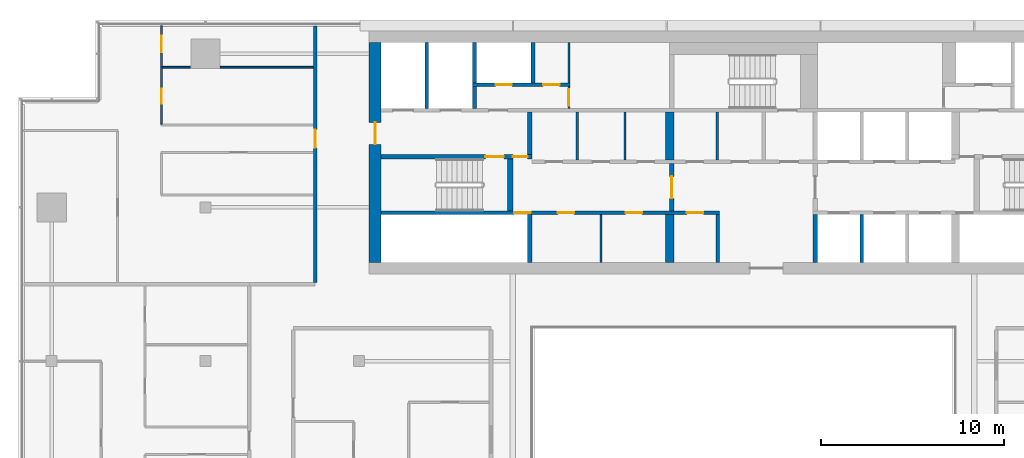
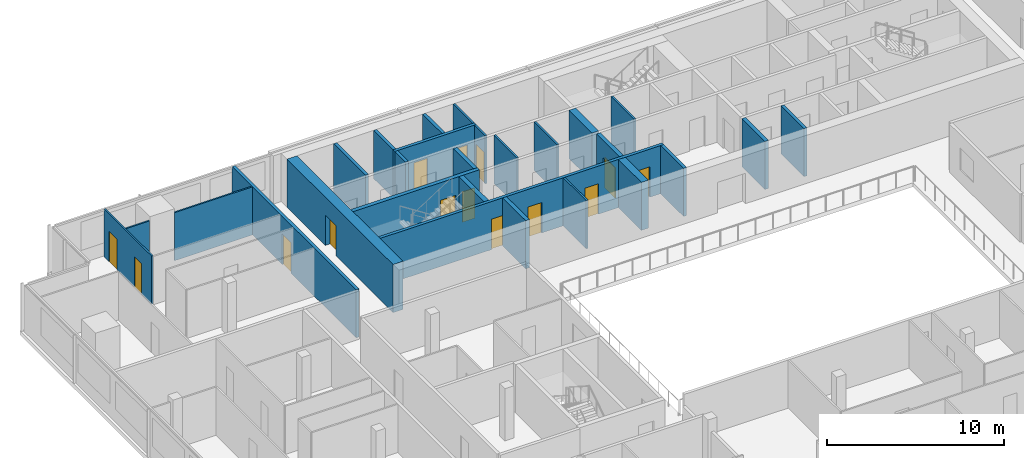
# One storey, part 20 of 30: 27 walls, 14 doors, 14 openings.
"""IFC4 building model written with IfcOpenShell, lengths in metres."""

from ifc_helpers import new_model, si_unit, direction, frame, frame_2d, origin, place, context, subcontext, project, spatial, rectangle, extrude, material, layer, layer_set, type_object, element, fill, save


model = new_model("IFC4")

# Units and contexts
model_context = context("Model", 3, precision=1e-05, world=origin(), true_north=direction((0.0, 1.0)))
body_context = subcontext(model_context, "Body", "Model", "MODEL_VIEW")
ifc_project = project(units=[si_unit("LENGTHUNIT", "METRE"), si_unit("AREAUNIT", "SQUARE_METRE"), si_unit("VOLUMEUNIT", "CUBIC_METRE"), si_unit("PLANEANGLEUNIT", "RADIAN"), si_unit("MASSUNIT", "GRAM", prefix="KILO")], contexts=[model_context])

# Site, building, storey
site_placement = place(None, origin())
site = spatial("IfcSite", under=ifc_project, at=site_placement, CompositionType="ELEMENT")
building_placement = place(site_placement, origin())
building = spatial("IfcBuilding", under=site, at=building_placement, Name="Saffron Gate Tower", CompositionType="ELEMENT")
storey_placement = place(building_placement, frame((0.0, 0.0, 245.10009765625)))
storey = spatial("IfcBuildingStorey", under=building, at=storey_placement, Name="L60", CompositionType="ELEMENT", Elevation=245.10009765625)

# Walls
ifc_material_1 = material(Name="Gypsum board partition on steel studs", Category="steel")
ifc_layer_1 = layer(ifc_material_1, 0.199951171875)
ifc_layer_set_1 = layer_set([ifc_layer_1], Name="CW10 Core partition 200")
wall_type_1 = type_object("IfcWallType", Name="CW10 Core partition 200", PredefinedType="PARTITIONING", material=ifc_layer_set_1)
wall_1_placement = place(storey_placement, frame((86.199951171875, 62.39990234375, 0.0), z_axis=(0.0, 0.0, 1.0), x_axis=(0.0, 1.0, 0.0)))
element("IfcWall", 1, at=wall_1_placement, inside=storey, type_object=wall_type_1, Name="Wall CW10-L60-8", PredefinedType="PARTITIONING", context=body_context, shape_type="SweptSolid", body=[
    extrude(rectangle(XDim=2.60009765625, YDim=0.199951171875, at=frame_2d((1.300048828125, 0.0))), origin(), (0.0, 0.0, 1.0), 3.31982421875),
])
ifc_material_2 = material(Name="Concrete C60", Category="concrete")
ifc_layer_2 = layer(ifc_material_2, 0.25)
ifc_layer_set_2 = layer_set([ifc_layer_2], Name="CW14 RC core wall 250 C60")
wall_type_2 = type_object("IfcWallType", Name="CW14 RC core wall 250 C60", PredefinedType="SOLIDWALL", material=ifc_layer_set_2)
for number, where, z_axis, x_axis, name in (
    (2, (75.925048828125, 62.39990234375, 0.0), (0.0, 0.0, 1.0), (0.0, 1.0, 0.0), "Wall CW14-L60-5"),
    (3, (91.52490234375, 62.39990234375, 0.0), (0.0, 0.0, 1.0), (0.0, 1.0, 0.0), "Wall CW14-L60-9"),
):
    element("IfcWall", number, at=place(storey_placement, frame(where, z_axis=z_axis, x_axis=x_axis)), inside=storey, type_object=wall_type_2, Name=name, PredefinedType="SOLIDWALL", context=body_context, shape_type="SweptSolid", body=[
        extrude(rectangle(XDim=2.60009765625, YDim=0.25, at=frame_2d((1.300048828125, 0.0))), origin(), (0.0, 0.0, 1.0), 3.31982421875),
    ])

# Wall, opening, door
wall_2_placement = place(storey_placement, frame((83.675048828125, 65.199951171875, 0.0), z_axis=(0.0, 0.0, 1.0), x_axis=(0.0, 1.0, 0.0)))
wall_2 = element("IfcWall", 4, at=wall_2_placement, inside=storey, type_object=wall_type_2, Name="Wall CW14-L60-16", PredefinedType="SOLIDWALL", context=body_context, shape_type="SweptSolid", body=[
    extrude(rectangle(XDim=2.60009765625, YDim=0.25, at=frame_2d((1.300048828125, 0.0))), origin(), (0.0, 0.0, 1.0), 3.31982421875),
])
opening_1_placement = place(wall_2_placement, frame((0.699951171875, 0.0, 0.0)))
opening_1 = element("IfcOpeningElement", 5, at=opening_1_placement, cuts=wall_2, Name="Opening CR-07", PredefinedType="OPENING", context=body_context, shape_type="SweptSolid", body=[
    extrude(rectangle(XDim=1.199951171875, YDim=2.10009765625, at=frame_2d((0.60009765625, 1.050048828125))), frame((0.0, 0.135009765625, 0.0), z_axis=(0.0, -1.0, 0.0), x_axis=(1.0, 0.0, 0.0)), (0.0, 0.0, 1.0), 0.27001953125),
])
ifc_material_3 = material(Name="Steel fire door set", Category="steel")
door_type_1 = type_object("IfcDoorType", Name="CD3 Lobby door 1200x2100 EI 120", OperationType="NOTDEFINED", PredefinedType="DOOR", material=ifc_material_3)
door_1_placement = place(opening_1_placement, origin())
door_1 = element("IfcDoor", 6, at=door_1_placement, inside=storey, type_object=door_type_1, Name="DOOR CR-07", OperationType="SINGLE_SWING_RIGHT", OverallHeight=2.10009765625, OverallWidth=1.199951171875, PredefinedType="DOOR", context=body_context, shape_type="SweptSolid", body=[
    extrude(rectangle(XDim=1.199951171875, YDim=2.10009765625, at=frame_2d((0.60009765625, 1.050048828125))), frame((0.0, 0.02490234375, 0.0), z_axis=(0.0, -1.0, 0.0), x_axis=(1.0, 0.0, 0.0)), (0.0, 0.0, 1.0), 0.050048828125),
])
fill(opening_1, door_1)

# Wall, openings, doors
wall_3_placement = place(storey_placement, frame((67.800048828125, 68.175048828125, 0.0), z_axis=(0.0, 0.0, 1.0), x_axis=(1.0, 0.0, 0.0)))
wall_3 = element("IfcWall", 7, at=wall_3_placement, inside=storey, type_object=wall_type_2, Name="Wall CW14-L60-29", PredefinedType="SOLIDWALL", context=body_context, shape_type="SweptSolid", body=[
    extrude(rectangle(XDim=8.25, YDim=0.25, at=frame_2d((4.125, 0.0))), origin(), (0.0, 0.0, 1.0), 3.31982421875),
])
opening_2_placement = place(wall_3_placement, frame((5.699951171875, 0.0, 0.0)))
opening_2 = element("IfcOpeningElement", 8, at=opening_2_placement, cuts=wall_3, Name="Opening CR-15", PredefinedType="OPENING", context=body_context, shape_type="SweptSolid", body=[
    extrude(rectangle(XDim=1.0, YDim=2.10009765625, at=frame_2d((0.5, 1.050048828125))), frame((0.0, 0.135009765625, 0.0), z_axis=(0.0, -1.0, 0.0), x_axis=(1.0, 0.0, 0.0)), (0.0, 0.0, 1.0), 0.27001953125),
])
opening_3_placement = place(wall_3_placement, frame((7.199951171875, 0.0, 0.0)))
opening_3 = element("IfcOpeningElement", 9, at=opening_3_placement, cuts=wall_3, Name="Opening CR-06", PredefinedType="OPENING", context=body_context, shape_type="SweptSolid", body=[
    extrude(rectangle(XDim=0.800048828125, YDim=2.10009765625, at=frame_2d((0.39990234375, 1.050048828125))), frame((0.0, 0.135009765625, 0.0), z_axis=(0.0, -1.0, 0.0), x_axis=(1.0, 0.0, 0.0)), (0.0, 0.0, 1.0), 0.27001953125),
])
door_type_2 = type_object("IfcDoorType", Name="CD5 Stair door 1000x2100 EI 120", OperationType="NOTDEFINED", PredefinedType="DOOR", material=ifc_material_3)
door_2_placement = place(opening_2_placement, origin())
door_2 = element("IfcDoor", 10, at=door_2_placement, inside=storey, type_object=door_type_2, Name="DOOR CR-15", OperationType="SINGLE_SWING_RIGHT", OverallHeight=2.10009765625, OverallWidth=1.0, PredefinedType="DOOR", context=body_context, shape_type="SweptSolid", body=[
    extrude(rectangle(XDim=1.0, YDim=2.10009765625, at=frame_2d((0.5, 1.050048828125))), frame((0.0, 0.02490234375, 0.0), z_axis=(0.0, -1.0, 0.0), x_axis=(1.0, 0.0, 0.0)), (0.0, 0.0, 1.0), 0.050048828125),
])
fill(opening_2, door_2)
door_type_3 = type_object("IfcDoorType", Name="CD6 Lobby door 800x2100 EI 120", OperationType="NOTDEFINED", PredefinedType="DOOR", material=ifc_material_3)
door_3_placement = place(opening_3_placement, origin())
door_3 = element("IfcDoor", 11, at=door_3_placement, inside=storey, type_object=door_type_3, Name="DOOR CR-06", OperationType="SINGLE_SWING_LEFT", OverallHeight=2.10009765625, OverallWidth=0.800048828125, PredefinedType="DOOR", context=body_context, shape_type="SweptSolid", body=[
    extrude(rectangle(XDim=0.800048828125, YDim=2.10009765625, at=frame_2d((0.39990234375, 1.050048828125))), frame((0.0, 0.02490234375, 0.0), z_axis=(0.0, -1.0, 0.0), x_axis=(1.0, 0.0, 0.0)), (0.0, 0.0, 1.0), 0.050048828125),
])
fill(opening_3, door_3)

# Walls
wall_4_placement = place(storey_placement, frame((75.925048828125, 68.300048828125, 0.0), z_axis=(0.0, 0.0, 1.0), x_axis=(0.0, 1.0, 0.0)))
element("IfcWall", 12, at=wall_4_placement, inside=storey, type_object=wall_type_2, Name="Wall CW14-L60-31", PredefinedType="SOLIDWALL", context=body_context, shape_type="SweptSolid", body=[
    extrude(rectangle(XDim=2.300048828125, YDim=0.25, at=frame_2d((1.14990234375, 0.0))), origin(), (0.0, 0.0, 1.0), 3.31982421875),
])
ifc_layer_3 = layer(ifc_material_2, 0.199951171875)
ifc_layer_set_3 = layer_set([ifc_layer_3], Name="CW15 RC core wall 200 C60")
wall_type_3 = type_object("IfcWallType", Name="CW15 RC core wall 200 C60", PredefinedType="SOLIDWALL", material=ifc_layer_set_3)
wall_5_placement = place(storey_placement, frame((94.050048828125, 62.39990234375, 0.0), z_axis=(0.0, 0.0, 1.0), x_axis=(0.0, 1.0, 0.0)))
element("IfcWall", 13, at=wall_5_placement, inside=storey, type_object=wall_type_3, Name="Wall CW15-L60-10", PredefinedType="SOLIDWALL", context=body_context, shape_type="SweptSolid", body=[
    extrude(rectangle(XDim=2.60009765625, YDim=0.199951171875, at=frame_2d((1.300048828125, 0.0))), origin(), (0.0, 0.0, 1.0), 3.31982421875),
])

# Wall, openings, doors
wall_6_placement = place(storey_placement, frame((67.800048828125, 65.10009765625, 0.0), z_axis=(0.0, 0.0, 1.0), x_axis=(1.0, 0.0, 0.0)))
wall_6 = element("IfcWall", 14, at=wall_6_placement, inside=storey, type_object=wall_type_3, Name="Wall CW15-L60-13", PredefinedType="SOLIDWALL", context=body_context, shape_type="SweptSolid", body=[
    extrude(rectangle(XDim=18.5, YDim=0.199951171875, at=frame_2d((9.25, 0.0))), origin(), (0.0, 0.0, 1.0), 3.31982421875),
])
opening_4_placement = place(wall_6_placement, frame((7.27001953125, 0.0, 0.0)))
opening_4 = element("IfcOpeningElement", 15, at=opening_4_placement, cuts=wall_6, Name="Opening CR-49", PredefinedType="OPENING", context=body_context, shape_type="SweptSolid", body=[
    extrude(rectangle(XDim=0.89990234375, YDim=2.10009765625, at=frame_2d((0.449951171875, 1.050048828125))), frame((0.0, 0.10986328125, 0.0), z_axis=(0.0, -1.0, 0.0), x_axis=(1.0, 0.0, 0.0)), (0.0, 0.0, 1.0), 0.219970703125),
])
opening_5_placement = place(wall_6_placement, frame((9.64990234375, 0.0, 0.0)))
opening_5 = element("IfcOpeningElement", 16, at=opening_5_placement, cuts=wall_6, Name="Opening CR-64", PredefinedType="OPENING", context=body_context, shape_type="SweptSolid", body=[
    extrude(rectangle(XDim=0.89990234375, YDim=2.10009765625, at=frame_2d((0.449951171875, 1.050048828125))), frame((0.0, 0.10986328125, 0.0), z_axis=(0.0, -1.0, 0.0), x_axis=(1.0, 0.0, 0.0)), (0.0, 0.0, 1.0), 0.219970703125),
])
opening_6_placement = place(wall_6_placement, frame((13.360107421875, 0.0, 0.0)))
opening_6 = element("IfcOpeningElement", 17, at=opening_6_placement, cuts=wall_6, Name="Opening CR-65", PredefinedType="OPENING", context=body_context, shape_type="SweptSolid", body=[
    extrude(rectangle(XDim=0.89990234375, YDim=2.10009765625, at=frame_2d((0.449951171875, 1.050048828125))), frame((0.0, 0.10986328125, 0.0), z_axis=(0.0, -1.0, 0.0), x_axis=(1.0, 0.0, 0.0)), (0.0, 0.0, 1.0), 0.219970703125),
])
opening_7_placement = place(wall_6_placement, frame((16.699951171875, 0.0, 0.0)))
opening_7 = element("IfcOpeningElement", 18, at=opening_7_placement, cuts=wall_6, Name="Opening CR-69", PredefinedType="OPENING", context=body_context, shape_type="SweptSolid", body=[
    extrude(rectangle(XDim=0.89990234375, YDim=2.10009765625, at=frame_2d((0.449951171875, 1.050048828125))), frame((0.0, 0.10986328125, 0.0), z_axis=(0.0, -1.0, 0.0), x_axis=(1.0, 0.0, 0.0)), (0.0, 0.0, 1.0), 0.219970703125),
])
door_type_4 = type_object("IfcDoorType", Name="CD2 Riser door 900x2100 EI 60", OperationType="NOTDEFINED", PredefinedType="DOOR", material=ifc_material_3)
door_4_placement = place(opening_4_placement, origin())
door_4 = element("IfcDoor", 19, at=door_4_placement, inside=storey, type_object=door_type_4, Name="DOOR CR-49", OperationType="SINGLE_SWING_LEFT", OverallHeight=2.10009765625, OverallWidth=0.89990234375, PredefinedType="DOOR", context=body_context, shape_type="SweptSolid", body=[
    extrude(rectangle(XDim=0.89990234375, YDim=2.10009765625, at=frame_2d((0.449951171875, 1.050048828125))), frame((0.0, 0.02490234375, 0.0), z_axis=(0.0, -1.0, 0.0), x_axis=(1.0, 0.0, 0.0)), (0.0, 0.0, 1.0), 0.050048828125),
])
fill(opening_4, door_4)
door_type_5 = type_object("IfcDoorType", Name="CD9 Room door 900x2100 EI 60", OperationType="NOTDEFINED", PredefinedType="DOOR", material=ifc_material_3)
door_5_placement = place(opening_5_placement, origin())
door_5 = element("IfcDoor", 20, at=door_5_placement, inside=storey, type_object=door_type_5, Name="DOOR CR-64", OperationType="SINGLE_SWING_RIGHT", OverallHeight=2.10009765625, OverallWidth=0.89990234375, PredefinedType="DOOR", context=body_context, shape_type="SweptSolid", body=[
    extrude(rectangle(XDim=0.89990234375, YDim=2.10009765625, at=frame_2d((0.449951171875, 1.050048828125))), frame((0.0, 0.02490234375, 0.0), z_axis=(0.0, -1.0, 0.0), x_axis=(1.0, 0.0, 0.0)), (0.0, 0.0, 1.0), 0.050048828125),
])
fill(opening_5, door_5)
door_6_placement = place(opening_6_placement, origin())
door_6 = element("IfcDoor", 21, at=door_6_placement, inside=storey, type_object=door_type_5, Name="DOOR CR-65", OperationType="SINGLE_SWING_RIGHT", OverallHeight=2.10009765625, OverallWidth=0.89990234375, PredefinedType="DOOR", context=body_context, shape_type="SweptSolid", body=[
    extrude(rectangle(XDim=0.89990234375, YDim=2.10009765625, at=frame_2d((0.449951171875, 1.050048828125))), frame((0.0, 0.02490234375, 0.0), z_axis=(0.0, -1.0, 0.0), x_axis=(1.0, 0.0, 0.0)), (0.0, 0.0, 1.0), 0.050048828125),
])
fill(opening_6, door_6)
door_7_placement = place(opening_7_placement, origin())
door_7 = element("IfcDoor", 22, at=door_7_placement, inside=storey, type_object=door_type_5, Name="DOOR CR-69", OperationType="SINGLE_SWING_RIGHT", OverallHeight=2.10009765625, OverallWidth=0.89990234375, PredefinedType="DOOR", context=body_context, shape_type="SweptSolid", body=[
    extrude(rectangle(XDim=0.89990234375, YDim=2.10009765625, at=frame_2d((0.449951171875, 1.050048828125))), frame((0.0, 0.02490234375, 0.0), z_axis=(0.0, -1.0, 0.0), x_axis=(1.0, 0.0, 0.0)), (0.0, 0.0, 1.0), 0.050048828125),
])
fill(opening_7, door_7)

# Walls
wall_7_placement = place(storey_placement, frame((70.300048828125, 70.800048828125, 0.0), z_axis=(0.0, 0.0, 1.0), x_axis=(0.0, 1.0, 0.0)))
element("IfcWall", 23, at=wall_7_placement, inside=storey, type_object=wall_type_3, Name="Wall CW15-L60-34", PredefinedType="SOLIDWALL", context=body_context, shape_type="SweptSolid", body=[
    extrude(rectangle(XDim=3.599853515625, YDim=0.199951171875, at=frame_2d((1.7998046875, 0.0))), origin(), (0.0, 0.0, 1.0), 3.31982421875),
])
wall_8_placement = place(storey_placement, frame((72.89990234375, 70.800048828125, 0.0), z_axis=(0.0, 0.0, 1.0), x_axis=(0.0, 1.0, 0.0)))
element("IfcWall", 24, at=wall_8_placement, inside=storey, type_object=wall_type_3, Name="Wall CW15-L60-35", PredefinedType="SOLIDWALL", context=body_context, shape_type="SweptSolid", body=[
    extrude(rectangle(XDim=1.199951171875, YDim=0.199951171875, at=frame_2d((0.60009765625, 0.0))), origin(), (0.0, 0.0, 1.0), 3.31982421875),
])

# Wall, openings, doors
wall_9_placement = place(storey_placement, frame((72.800048828125, 72.10009765625, 0.0), z_axis=(0.0, 0.0, 1.0), x_axis=(1.0, 0.0, 0.0)))
wall_9 = element("IfcWall", 25, at=wall_9_placement, inside=storey, type_object=wall_type_3, Name="Wall CW15-L60-42", PredefinedType="SOLIDWALL", context=body_context, shape_type="SweptSolid", body=[
    extrude(rectangle(XDim=5.320068359375, YDim=0.199951171875, at=frame_2d((2.66015625, 0.0))), origin(), (0.0, 0.0, 1.0), 3.31982421875),
])
opening_8_placement = place(wall_9_placement, frame((1.25, 0.0, 0.0)))
opening_8 = element("IfcOpeningElement", 26, at=opening_8_placement, cuts=wall_9, Name="Opening CR-71", PredefinedType="OPENING", context=body_context, shape_type="SweptSolid", body=[
    extrude(rectangle(XDim=0.89990234375, YDim=2.10009765625, at=frame_2d((0.449951171875, 1.050048828125))), frame((0.0, 0.10986328125, 0.0), z_axis=(0.0, -1.0, 0.0), x_axis=(1.0, 0.0, 0.0)), (0.0, 0.0, 1.0), 0.219970703125),
])
opening_9_placement = place(wall_9_placement, frame((3.85009765625, 0.0, 0.0)))
opening_9 = element("IfcOpeningElement", 27, at=opening_9_placement, cuts=wall_9, Name="Opening CR-55", PredefinedType="OPENING", context=body_context, shape_type="SweptSolid", body=[
    extrude(rectangle(XDim=0.89990234375, YDim=2.10009765625, at=frame_2d((0.449951171875, 1.050048828125))), frame((0.0, 0.10986328125, 0.0), z_axis=(0.0, -1.0, 0.0), x_axis=(1.0, 0.0, 0.0)), (0.0, 0.0, 1.0), 0.219970703125),
])
door_8_placement = place(opening_8_placement, origin())
door_8 = element("IfcDoor", 28, at=door_8_placement, inside=storey, type_object=door_type_4, Name="DOOR CR-71", OperationType="SINGLE_SWING_LEFT", OverallHeight=2.10009765625, OverallWidth=0.89990234375, PredefinedType="DOOR", context=body_context, shape_type="SweptSolid", body=[
    extrude(rectangle(XDim=0.89990234375, YDim=2.10009765625, at=frame_2d((0.449951171875, 1.050048828125))), frame((0.0, 0.02490234375, 0.0), z_axis=(0.0, -1.0, 0.0), x_axis=(1.0, 0.0, 0.0)), (0.0, 0.0, 1.0), 0.050048828125),
])
fill(opening_8, door_8)
door_9_placement = place(opening_9_placement, origin())
door_9 = element("IfcDoor", 29, at=door_9_placement, inside=storey, type_object=door_type_5, Name="DOOR CR-55", OperationType="SINGLE_SWING_LEFT", OverallHeight=2.10009765625, OverallWidth=0.89990234375, PredefinedType="DOOR", context=body_context, shape_type="SweptSolid", body=[
    extrude(rectangle(XDim=0.89990234375, YDim=2.10009765625, at=frame_2d((0.449951171875, 1.050048828125))), frame((0.0, 0.02490234375, 0.0), z_axis=(0.0, -1.0, 0.0), x_axis=(1.0, 0.0, 0.0)), (0.0, 0.0, 1.0), 0.050048828125),
])
fill(opening_9, door_9)

# Walls
for number, where, z_axis, x_axis, name in (
    (30, (72.89990234375, 72.199951171875, 0.0), (0.0, 0.0, 1.0), (0.0, 1.0, 0.0), "Wall CW15-L60-44"),
    (31, (76.10009765625, 72.199951171875, 0.0), (0.0, 0.0, 1.0), (0.0, 1.0, 0.0), "Wall CW15-L60-45"),
):
    element("IfcWall", number, at=place(storey_placement, frame(where, z_axis=z_axis, x_axis=x_axis)), inside=storey, type_object=wall_type_3, Name=name, PredefinedType="SOLIDWALL", context=body_context, shape_type="SweptSolid", body=[
        extrude(rectangle(XDim=2.199951171875, YDim=0.199951171875, at=frame_2d((1.10009765625, 0.0))), origin(), (0.0, 0.0, 1.0), 3.31982421875),
    ])
ifc_layer_4 = layer(ifc_material_2, 0.449951171875)
ifc_layer_set_4 = layer_set([ifc_layer_4], Name="CW16 RC core wall 450 C60")
wall_type_4 = type_object("IfcWallType", Name="CW16 RC core wall 450 C60", PredefinedType="SOLIDWALL", material=ifc_layer_set_4)
for number, where, z_axis, x_axis, name in (
    (32, (83.574951171875, 62.39990234375, 0.0), (0.0, 0.0, 1.0), (0.0, 1.0, 0.0), "Wall CW16-L60-7"),
    (33, (83.574951171875, 68.0, 0.0), (0.0, 0.0, 1.0), (0.0, 1.0, 0.0), "Wall CW16-L60-22"),
):
    element("IfcWall", number, at=place(storey_placement, frame(where, z_axis=z_axis, x_axis=x_axis)), inside=storey, type_object=wall_type_4, Name=name, PredefinedType="SOLIDWALL", context=body_context, shape_type="SweptSolid", body=[
        extrude(rectangle(XDim=2.60009765625, YDim=0.449951171875, at=frame_2d((1.300048828125, 0.0))), origin(), (0.0, 0.0, 1.0), 3.31982421875),
    ])
ifc_layer_5 = layer(ifc_material_2, 0.300048828125)
ifc_layer_set_5 = layer_set([ifc_layer_5], Name="CW17 RC core wall 300 C60")
wall_type_5 = type_object("IfcWallType", Name="CW17 RC core wall 300 C60", PredefinedType="SOLIDWALL", material=ifc_layer_set_5)
wall_10_placement = place(storey_placement, frame((74.85009765625, 65.199951171875, 0.0), z_axis=(0.0, 0.0, 1.0), x_axis=(0.0, 1.0, 0.0)))
element("IfcWall", 34, at=wall_10_placement, inside=storey, type_object=wall_type_5, Name="Wall CW17-L60-15", PredefinedType="SOLIDWALL", context=body_context, shape_type="SweptSolid", body=[
    extrude(rectangle(XDim=2.85009765625, YDim=0.300048828125, at=frame_2d((1.425048828125, 0.0))), origin(), (0.0, 0.0, 1.0), 3.31982421875),
])

# Wall, opening, door
ifc_layer_6 = layer(ifc_material_2, 0.64990234375)
ifc_layer_set_6 = layer_set([ifc_layer_6], Name="CW20 RC core wall 650 C60")
wall_type_6 = type_object("IfcWallType", Name="CW20 RC core wall 650 C60", PredefinedType="SOLIDWALL", material=ifc_layer_set_6)
wall_11_placement = place(storey_placement, frame((67.47509765625, 62.39990234375, 0.0), z_axis=(0.0, 0.0, 1.0), x_axis=(0.0, 1.0, 0.0)))
wall_11 = element("IfcWall", 35, at=wall_11_placement, inside=storey, type_object=wall_type_6, Name="Wall CW20-L60-3", PredefinedType="SOLIDWALL", context=body_context, shape_type="SweptSolid", body=[
    extrude(rectangle(XDim=12.0, YDim=0.64990234375, at=frame_2d((6.0, 0.0))), origin(), (0.0, 0.0, 1.0), 3.31982421875),
])
opening_10_placement = place(wall_11_placement, frame((6.449951171875, 0.0, 0.0)))
opening_10 = element("IfcOpeningElement", 36, at=opening_10_placement, cuts=wall_11, Name="Opening CR-10", PredefinedType="OPENING", context=body_context, shape_type="SweptSolid", body=[
    extrude(rectangle(XDim=1.199951171875, YDim=2.10009765625, at=frame_2d((0.60009765625, 1.050048828125))), frame((0.0, 0.3349609375, 0.0), z_axis=(0.0, -1.0, 0.0), x_axis=(1.0, 0.0, 0.0)), (0.0, 0.0, 1.0), 0.669921875),
])
door_type_6 = type_object("IfcDoorType", Name="CD7 Core entrance door 1200x2100 EI 120", OperationType="NOTDEFINED", PredefinedType="DOOR", material=ifc_material_3)
door_10_placement = place(opening_10_placement, origin())
door_10 = element("IfcDoor", 37, at=door_10_placement, inside=storey, type_object=door_type_6, Name="DOOR CR-10", OperationType="SINGLE_SWING_LEFT", OverallHeight=2.10009765625, OverallWidth=1.199951171875, PredefinedType="DOOR", context=body_context, shape_type="SweptSolid", body=[
    extrude(rectangle(XDim=1.199951171875, YDim=2.10009765625, at=frame_2d((0.60009765625, 1.050048828125))), frame((0.0, 0.02490234375, 0.0), z_axis=(0.0, -1.0, 0.0), x_axis=(1.0, 0.0, 0.0)), (0.0, 0.0, 1.0), 0.050048828125),
])
fill(opening_10, door_10)

# Walls
ifc_layer_7 = layer(ifc_material_1, 0.1201171875)
ifc_layer_set_7 = layer_set([ifc_layer_7], Name="CW8 Core partition 120")
wall_type_7 = type_object("IfcWallType", Name="CW8 Core partition 120", PredefinedType="PARTITIONING", material=ifc_layer_set_7)
for number, where, z_axis, x_axis, name in (
    (38, (79.81005859375, 62.39990234375, 0.0), (0.0, 0.0, 1.0), (0.0, 1.0, 0.0), "Wall CW8-L60-6"),
    (39, (78.510009765625, 68.0, 0.0), (0.0, 0.0, 1.0), (0.0, 1.0, 0.0), "Wall CW8-L60-20"),
    (40, (81.1298828125, 68.0, 0.0), (0.0, 0.0, 1.0), (0.0, 1.0, 0.0), "Wall CW8-L60-21"),
    (41, (86.159912109375, 68.0, 0.0), (0.0, 0.0, 1.0), (0.0, 1.0, 0.0), "Wall CW8-L60-23"),
):
    element("IfcWall", number, at=place(storey_placement, frame(where, z_axis=z_axis, x_axis=x_axis)), inside=storey, type_object=wall_type_7, Name=name, PredefinedType="PARTITIONING", context=body_context, shape_type="SweptSolid", body=[
        extrude(rectangle(XDim=2.60009765625, YDim=0.1201171875, at=frame_2d((1.300048828125, 0.0))), origin(), (0.0, 0.0, 1.0), 3.31982421875),
    ])

# Wall, opening, door
wall_12_placement = place(storey_placement, frame((78.06005859375, 70.800048828125, 0.0), z_axis=(0.0, 0.0, 1.0), x_axis=(0.0, 1.0, 0.0)))
wall_12 = element("IfcWall", 42, at=wall_12_placement, inside=storey, type_object=wall_type_7, Name="Wall CW8-L60-36", PredefinedType="PARTITIONING", context=body_context, shape_type="SweptSolid", body=[
    extrude(rectangle(XDim=1.199951171875, YDim=0.1201171875, at=frame_2d((0.60009765625, 0.0))), origin(), (0.0, 0.0, 1.0), 3.31982421875),
])
opening_11_placement = place(wall_12_placement, frame((0.14990234375, 0.0, 0.0)))
opening_11 = element("IfcOpeningElement", 43, at=opening_11_placement, cuts=wall_12, Name="Opening CR-60", PredefinedType="OPENING", context=body_context, shape_type="SweptSolid", body=[
    extrude(rectangle(XDim=0.89990234375, YDim=2.10009765625, at=frame_2d((0.449951171875, 1.050048828125))), frame((0.0, 0.070068359375, 0.0), z_axis=(0.0, -1.0, 0.0), x_axis=(1.0, 0.0, 0.0)), (0.0, 0.0, 1.0), 0.14013671875),
])
door_11_placement = place(opening_11_placement, origin())
door_11 = element("IfcDoor", 44, at=door_11_placement, inside=storey, type_object=door_type_5, Name="DOOR CR-60", OperationType="SINGLE_SWING_RIGHT", OverallHeight=2.10009765625, OverallWidth=0.89990234375, PredefinedType="DOOR", context=body_context, shape_type="SweptSolid", body=[
    extrude(rectangle(XDim=0.89990234375, YDim=2.10009765625, at=frame_2d((0.449951171875, 1.050048828125))), frame((0.0, 0.02490234375, 0.0), z_axis=(0.0, -1.0, 0.0), x_axis=(1.0, 0.0, 0.0)), (0.0, 0.0, 1.0), 0.050048828125),
])
fill(opening_11, door_11)

# Walls
wall_13_placement = place(storey_placement, frame((78.06005859375, 72.199951171875, 0.0), z_axis=(0.0, 0.0, 1.0), x_axis=(0.0, 1.0, 0.0)))
element("IfcWall", 45, at=wall_13_placement, inside=storey, type_object=wall_type_7, Name="Wall CW8-L60-46", PredefinedType="PARTITIONING", context=body_context, shape_type="SweptSolid", body=[
    extrude(rectangle(XDim=2.199951171875, YDim=0.1201171875, at=frame_2d((1.10009765625, 0.0))), origin(), (0.0, 0.0, 1.0), 3.31982421875),
])
ifc_material_4 = material(Name="Plasterboard on steel studs", Category="steel")
ifc_layer_8 = layer(ifc_material_4, 0.10009765625)
ifc_layer_set_8 = layer_set([ifc_layer_8], Name="PW1 Partition 100")
wall_type_8 = type_object("IfcWallType", Name="PW1 Partition 100", PredefinedType="PARTITIONING", material=ifc_layer_set_8)
wall_14_placement = place(storey_placement, frame((55.85009765625, 73.0546875, 0.0), z_axis=(0.0, 0.0, 1.0), x_axis=(1.0, 0.0, 0.0)))
element("IfcWall", 46, at=wall_14_placement, inside=storey, type_object=wall_type_8, Name="Partition D4-57", PredefinedType="PARTITIONING", context=body_context, shape_type="SweptSolid", body=[
    extrude(rectangle(XDim=1.52978515625, YDim=0.10009765625, at=frame_2d((0.764892578125, 0.0))), origin(), (0.0, 0.0, 1.0), 3.31982421875),
])
wall_15_placement = place(storey_placement, frame((59.02001953125, 73.0546875, 0.0), z_axis=(0.0, 0.0, 1.0), x_axis=(1.0, 0.0, 0.0)))
element("IfcWall", 47, at=wall_15_placement, inside=storey, type_object=wall_type_8, Name="Partition D4-58", PredefinedType="PARTITIONING", context=body_context, shape_type="SweptSolid", body=[
    extrude(rectangle(XDim=5.080078125, YDim=0.10009765625, at=frame_2d((2.5400390625, 0.0))), origin(), (0.0, 0.0, 1.0), 3.31982421875),
])

# Wall, openings, doors
wall_16_placement = place(storey_placement, frame((55.800048828125, 75.320068359375, 0.0), z_axis=(0.0, 0.0, 1.0), x_axis=(0.0, -1.0, 0.0)))
wall_16 = element("IfcWall", 48, at=wall_16_placement, inside=storey, type_object=wall_type_8, Name="Partition D4-66", PredefinedType="PARTITIONING", context=body_context, shape_type="SweptSolid", body=[
    extrude(rectangle(XDim=5.3701171875, YDim=0.10009765625, at=frame_2d((2.68505859375, 0.0))), origin(), (0.0, 0.0, 1.0), 3.31982421875),
])
opening_12_placement = place(wall_16_placement, frame((0.54248046875, 0.0, 0.0)))
opening_12 = element("IfcOpeningElement", 49, at=opening_12_placement, cuts=wall_16, Name="Opening D4-28", PredefinedType="OPENING", context=body_context, shape_type="SweptSolid", body=[
    extrude(rectangle(XDim=0.89990234375, YDim=2.10009765625, at=frame_2d((0.449951171875, 1.050048828125))), frame((0.0, 0.06005859375, 0.0), z_axis=(0.0, -1.0, 0.0), x_axis=(1.0, 0.0, 0.0)), (0.0, 0.0, 1.0), 0.1201171875),
])
opening_13_placement = place(wall_16_placement, frame((3.442626953125, 0.0, 0.0)))
opening_13 = element("IfcOpeningElement", 50, at=opening_13_placement, cuts=wall_16, Name="Opening D4-45", PredefinedType="OPENING", context=body_context, shape_type="SweptSolid", body=[
    extrude(rectangle(XDim=0.800048828125, YDim=2.10009765625, at=frame_2d((0.39990234375, 1.050048828125))), frame((0.0, 0.06005859375, 0.0), z_axis=(0.0, -1.0, 0.0), x_axis=(1.0, 0.0, 0.0)), (0.0, 0.0, 1.0), 0.1201171875),
])
ifc_material_5 = material(Name="Timber door set", Category="wood")
door_type_7 = type_object("IfcDoorType", Name="RD1 Room door 900x2100", OperationType="NOTDEFINED", PredefinedType="DOOR", material=ifc_material_5)
door_12_placement = place(opening_12_placement, origin())
door_12 = element("IfcDoor", 51, at=door_12_placement, inside=storey, type_object=door_type_7, Name="Door D4-28", OperationType="SINGLE_SWING_LEFT", OverallHeight=2.10009765625, OverallWidth=0.89990234375, PredefinedType="DOOR", context=body_context, shape_type="SweptSolid", body=[
    extrude(rectangle(XDim=0.89990234375, YDim=2.10009765625, at=frame_2d((0.449951171875, 1.050048828125))), frame((0.0, 0.02490234375, 0.0), z_axis=(0.0, -1.0, 0.0), x_axis=(1.0, 0.0, 0.0)), (0.0, 0.0, 1.0), 0.050048828125),
])
fill(opening_12, door_12)
door_type_8 = type_object("IfcDoorType", Name="RD2 Bathroom door 800x2100", OperationType="NOTDEFINED", PredefinedType="DOOR", material=ifc_material_5)
door_13_placement = place(opening_13_placement, origin())
door_13 = element("IfcDoor", 52, at=door_13_placement, inside=storey, type_object=door_type_8, Name="Door D4-45", OperationType="SINGLE_SWING_RIGHT", OverallHeight=2.10009765625, OverallWidth=0.800048828125, PredefinedType="DOOR", context=body_context, shape_type="SweptSolid", body=[
    extrude(rectangle(XDim=0.800048828125, YDim=2.10009765625, at=frame_2d((0.39990234375, 1.050048828125))), frame((0.0, 0.02490234375, 0.0), z_axis=(0.0, -1.0, 0.0), x_axis=(1.0, 0.0, 0.0)), (0.0, 0.0, 1.0), 0.050048828125),
])
fill(opening_13, door_13)

# Wall, opening, door
ifc_material_6 = material(Name="Clay brick masonry, rendered", Category="masonry")
ifc_layer_9 = layer(ifc_material_6, 0.199951171875)
ifc_layer_set_9 = layer_set([ifc_layer_9], Name="PW3 Corridor wall 200")
wall_type_9 = type_object("IfcWallType", Name="PW3 Corridor wall 200", PredefinedType="PARTITIONING", material=ifc_layer_set_9)
wall_17_placement = place(storey_placement, frame((64.199951171875, 61.300048828125, 0.0), z_axis=(0.0, 0.0, 1.0), x_axis=(0.0, 1.0, 0.0)))
wall_17 = element("IfcWall", 53, at=wall_17_placement, inside=storey, type_object=wall_type_9, Name="Wall D4-72", PredefinedType="PARTITIONING", context=body_context, shape_type="SweptSolid", body=[
    extrude(rectangle(XDim=14.02001953125, YDim=0.199951171875, at=frame_2d((7.010009765625, 0.0))), origin(), (0.0, 0.0, 1.0), 3.31982421875),
])
opening_14_placement = place(wall_17_placement, frame((7.35009765625, 0.0, 0.0)))
opening_14 = element("IfcOpeningElement", 54, at=opening_14_placement, cuts=wall_17, Name="Opening D4-5", PredefinedType="OPENING", context=body_context, shape_type="SweptSolid", body=[
    extrude(rectangle(XDim=1.0, YDim=2.10009765625, at=frame_2d((0.5, 1.050048828125))), frame((0.0, 0.10986328125, 0.0), z_axis=(0.0, -1.0, 0.0), x_axis=(1.0, 0.0, 0.0)), (0.0, 0.0, 1.0), 0.219970703125),
])
ifc_material_7 = material(Name="Timber fire door set", Category="wood")
door_type_9 = type_object("IfcDoorType", Name="FD1 Flat entry door 1000x2100", OperationType="NOTDEFINED", PredefinedType="DOOR", material=ifc_material_7)
door_14_placement = place(opening_14_placement, origin())
door_14 = element("IfcDoor", 55, at=door_14_placement, inside=storey, type_object=door_type_9, Name="Door D4-5", OperationType="SINGLE_SWING_LEFT", OverallHeight=2.10009765625, OverallWidth=1.0, PredefinedType="DOOR", context=body_context, shape_type="SweptSolid", body=[
    extrude(rectangle(XDim=1.0, YDim=2.10009765625, at=frame_2d((0.5, 1.050048828125))), frame((0.0, 0.02490234375, 0.0), z_axis=(0.0, -1.0, 0.0), x_axis=(1.0, 0.0, 0.0)), (0.0, 0.0, 1.0), 0.050048828125),
])
fill(opening_14, door_14)

save(model, "model.ifc")
